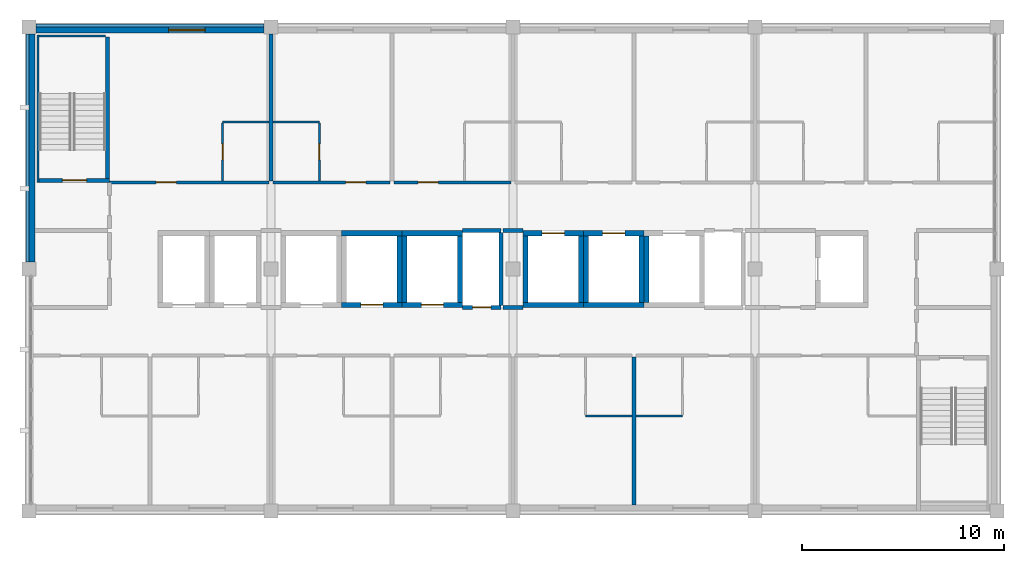
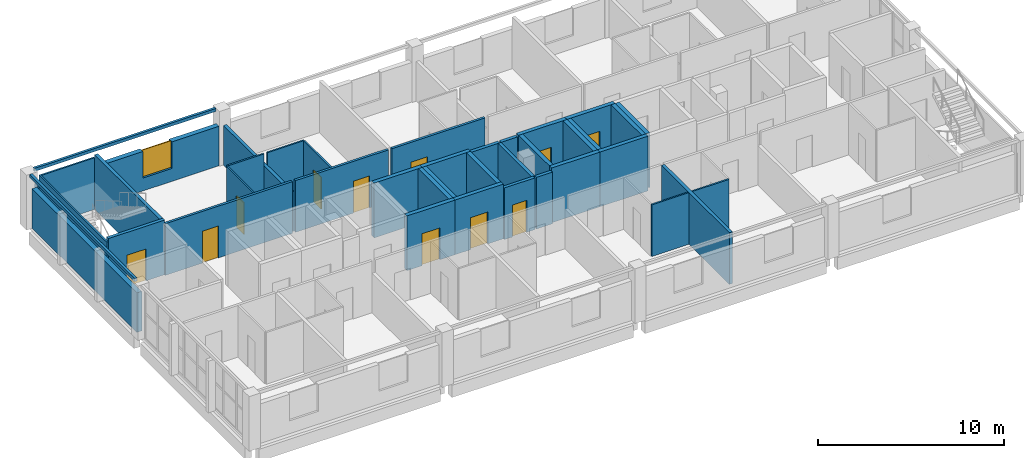
# One storey, part 7 of 11: 40 walls, 11 doors, 1 window, 12 openings.
"""IFC4 building model written with IfcOpenShell, lengths in metres."""

from ifc_helpers import new_model, si_unit, direction, frame, frame_2d, origin, place, context, subcontext, project, spatial, rectangle, extrude, material, layer, layer_set, type_object, element, fill, save


model = new_model("IFC4")

# Units and contexts
model_context = context("Model", 3, precision=1e-05, world=origin(), true_north=direction((0.0, 1.0)))
body_context = subcontext(model_context, "Body", "Model", "MODEL_VIEW")
ifc_project = project(units=[si_unit("LENGTHUNIT", "METRE"), si_unit("AREAUNIT", "SQUARE_METRE"), si_unit("VOLUMEUNIT", "CUBIC_METRE"), si_unit("PLANEANGLEUNIT", "RADIAN"), si_unit("MASSUNIT", "GRAM", prefix="KILO")], contexts=[model_context])

# Site, building, storey
site_placement = place(None, origin())
site = spatial("IfcSite", under=ifc_project, at=site_placement, CompositionType="ELEMENT")
building_placement = place(site_placement, origin())
building = spatial("IfcBuilding", under=site, at=building_placement, Name="Lilac Gate Convention Centre", CompositionType="ELEMENT")
storey_placement = place(building_placement, frame((0.0, 0.0, 64.199951171875)))
storey = spatial("IfcBuildingStorey", under=building, at=storey_placement, Name="L16", CompositionType="ELEMENT", Elevation=64.199951171875)

# Walls
ifc_material_1 = material(Name="Concrete C40", Category="concrete")
ifc_layer_1 = layer(ifc_material_1, 0.10009765625)
ifc_layer_set_1 = layer_set([ifc_layer_1], Name="Concrete C40")
wall_type_1 = type_object("IfcWallType", Name="Core wall 100 C40", PredefinedType="SHEAR", material=ifc_layer_set_1)
wall_1_placement = place(storey_placement, frame((42.449951171875, 238.300048828125, 0.0), z_axis=(0.0, 0.0, 1.0), x_axis=(0.0, 1.0, 0.0)))
element("IfcWall", 1, at=wall_1_placement, inside=storey, type_object=wall_type_1, Name="CRW10 core wall TS-WX L16 1", PredefinedType="SHEAR", context=body_context, shape_type="SweptSolid", body=[
    extrude(rectangle(XDim=7.300048828125, YDim=0.10009765625, at=frame_2d((3.64990234375, 0.0))), origin(), (0.0, 0.0, 1.0), 3.400146484375),
])
wall_2_placement = place(storey_placement, frame((42.5, 245.550048828125, 0.0), z_axis=(0.0, 0.0, 1.0), x_axis=(1.0, 0.0, 0.0)))
element("IfcWall", 2, at=wall_2_placement, inside=storey, type_object=wall_type_1, Name="CRW10 core wall TS-WX L16 2", PredefinedType="SHEAR", context=body_context, shape_type="SweptSolid", body=[
    extrude(rectangle(XDim=3.300048828125, YDim=0.10009765625, at=frame_2d((1.64990234375, 0.0))), origin(), (0.0, 0.0, 1.0), 3.400146484375),
])

# Wall, opening, door
ifc_layer_2 = layer(ifc_material_1, 0.199951171875)
ifc_layer_set_2 = layer_set([ifc_layer_2], Name="Concrete C40")
wall_type_2 = type_object("IfcWallType", Name="Core wall 200 C40", PredefinedType="SHEAR", material=ifc_layer_set_2)
wall_3_placement = place(storey_placement, frame((42.5, 238.39990234375, 0.0), z_axis=(0.0, 0.0, 1.0), x_axis=(1.0, 0.0, 0.0)))
wall_3 = element("IfcWall", 3, at=wall_3_placement, inside=storey, type_object=wall_type_2, Name="CRW7 core wall TS-W L16 1", PredefinedType="SHEAR", context=body_context, shape_type="SweptSolid", body=[
    extrude(rectangle(XDim=3.5, YDim=0.199951171875, at=frame_2d((1.75, 0.0))), origin(), (0.0, 0.0, 1.0), 3.60009765625),
])
opening_1_placement = place(wall_3_placement, frame((1.14990234375, 0.0, 0.0)))
opening_1 = element("IfcOpeningElement", 4, at=opening_1_placement, cuts=wall_3, Name="Opening T15-045", PredefinedType="OPENING", context=body_context, shape_type="SweptSolid", body=[
    extrude(rectangle(XDim=1.199951171875, YDim=2.10009765625, at=frame_2d((0.60009765625, 1.050048828125))), frame((0.0, 0.10986328125, 0.0), z_axis=(0.0, -1.0, 0.0), x_axis=(1.0, 0.0, 0.0)), (0.0, 0.0, 1.0), 0.219970703125),
])
ifc_material_2 = material(Name="Steel Q235B", Category="steel")
door_type_1 = type_object("IfcDoorType", Name="Stair door 1200", OperationType="SINGLE_SWING_LEFT", PredefinedType="DOOR", material=ifc_material_2)
door_1_placement = place(opening_1_placement, origin())
door_1 = element("IfcDoor", 5, at=door_1_placement, inside=storey, type_object=door_type_1, Name="Stair door NW L16", OperationType="SINGLE_SWING_RIGHT", OverallHeight=2.10009765625, OverallWidth=1.199951171875, PredefinedType="DOOR", context=body_context, shape_type="SweptSolid", body=[
    extrude(rectangle(XDim=1.199951171875, YDim=2.10009765625, at=frame_2d((0.60009765625, 1.050048828125))), frame((0.0, 0.02490234375, 0.0), z_axis=(0.0, -1.0, 0.0), x_axis=(1.0, 0.0, 0.0)), (0.0, 0.0, 1.0), 0.050048828125),
])
fill(opening_1, door_1)

# Wall
wall_4_placement = place(storey_placement, frame((45.89990234375, 238.5, 0.0), z_axis=(0.0, 0.0, 1.0), x_axis=(0.0, 1.0, 0.0)))
element("IfcWall", 6, at=wall_4_placement, inside=storey, type_object=wall_type_2, Name="CRW7 core wall TS-W L16 2", PredefinedType="SHEAR", context=body_context, shape_type="SweptSolid", body=[
    extrude(rectangle(XDim=7.0, YDim=0.199951171875, at=frame_2d((3.5, 0.0))), origin(), (0.0, 0.0, 1.0), 3.60009765625),
])

# Wall, opening, door
ifc_layer_3 = layer(ifc_material_1, 0.25)
ifc_layer_set_3 = layer_set([ifc_layer_3], Name="Concrete C40")
wall_type_3 = type_object("IfcWallType", Name="Core wall 250 C40", PredefinedType="SHEAR", material=ifc_layer_set_3)
wall_5_placement = place(storey_placement, frame((57.5, 232.22509765625, 0.0), z_axis=(0.0, 0.0, 1.0), x_axis=(1.0, 0.0, 0.0)))
wall_5 = element("IfcWall", 7, at=wall_5_placement, inside=storey, type_object=wall_type_3, Name="CRW5 core wall TC L16 5", PredefinedType="SHEAR", context=body_context, shape_type="SweptSolid", body=[
    extrude(rectangle(XDim=3.0, YDim=0.25, at=frame_2d((1.5, 0.0))), origin(), (0.0, 0.0, 1.0), 3.60009765625),
])
opening_2_placement = place(wall_5_placement, frame((0.949951171875, 0.0, 0.0)))
opening_2 = element("IfcOpeningElement", 8, at=opening_2_placement, cuts=wall_5, Name="Opening T15-037", PredefinedType="OPENING", context=body_context, shape_type="SweptSolid", body=[
    extrude(rectangle(XDim=1.10009765625, YDim=2.10009765625, at=frame_2d((0.550048828125, 1.050048828125))), frame((0.0, 0.135009765625, 0.0), z_axis=(0.0, -1.0, 0.0), x_axis=(1.0, 0.0, 0.0)), (0.0, 0.0, 1.0), 0.27001953125),
])
ifc_material_3 = material(Name="Stainless steel 304", Category="steel")
door_type_2 = type_object("IfcDoorType", Name="Lift landing door 1100", OperationType="SLIDING_TO_LEFT", PredefinedType="DOOR", material=ifc_material_3)
door_2_placement = place(opening_2_placement, origin())
door_2 = element("IfcDoor", 9, at=door_2_placement, inside=storey, type_object=door_type_2, Name="Lift landing door TP2 L16", OperationType="SLIDING_TO_LEFT", OverallHeight=2.10009765625, OverallWidth=1.10009765625, PredefinedType="DOOR", context=body_context, shape_type="SweptSolid", body=[
    extrude(rectangle(XDim=1.10009765625, YDim=2.10009765625, at=frame_2d((0.550048828125, 1.050048828125))), frame((0.0, 0.02490234375, 0.0), z_axis=(0.0, -1.0, 0.0), x_axis=(1.0, 0.0, 0.0)), (0.0, 0.0, 1.0), 0.050048828125),
])
fill(opening_2, door_2)

# Walls
wall_6_placement = place(storey_placement, frame((57.5, 235.77490234375, 0.0), z_axis=(0.0, 0.0, 1.0), x_axis=(1.0, 0.0, 0.0)))
element("IfcWall", 10, at=wall_6_placement, inside=storey, type_object=wall_type_3, Name="CRW5 core wall TC L16 6", PredefinedType="SHEAR", context=body_context, shape_type="SweptSolid", body=[
    extrude(rectangle(XDim=3.0, YDim=0.25, at=frame_2d((1.5, 0.0))), origin(), (0.0, 0.0, 1.0), 3.60009765625),
])
wall_7_placement = place(storey_placement, frame((60.375, 232.35009765625, 0.0), z_axis=(0.0, 0.0, 1.0), x_axis=(0.0, 1.0, 0.0)))
element("IfcWall", 11, at=wall_7_placement, inside=storey, type_object=wall_type_3, Name="CRW5 core wall TC L16 8", PredefinedType="SHEAR", context=body_context, shape_type="SweptSolid", body=[
    extrude(rectangle(XDim=3.2998046875, YDim=0.25, at=frame_2d((1.64990234375, 0.0))), origin(), (0.0, 0.0, 1.0), 3.60009765625),
])

# Wall, opening, door
wall_8_placement = place(storey_placement, frame((60.5, 232.22509765625, 0.0), z_axis=(0.0, 0.0, 1.0), x_axis=(1.0, 0.0, 0.0)))
wall_8 = element("IfcWall", 12, at=wall_8_placement, inside=storey, type_object=wall_type_3, Name="CRW5 core wall TC L16 9", PredefinedType="SHEAR", context=body_context, shape_type="SweptSolid", body=[
    extrude(rectangle(XDim=3.0, YDim=0.25, at=frame_2d((1.5, 0.0))), origin(), (0.0, 0.0, 1.0), 3.60009765625),
])
opening_3_placement = place(wall_8_placement, frame((0.949951171875, 0.0, 0.0)))
opening_3 = element("IfcOpeningElement", 13, at=opening_3_placement, cuts=wall_8, Name="Opening T15-038", PredefinedType="OPENING", context=body_context, shape_type="SweptSolid", body=[
    extrude(rectangle(XDim=1.10009765625, YDim=2.10009765625, at=frame_2d((0.550048828125, 1.050048828125))), frame((0.0, 0.135009765625, 0.0), z_axis=(0.0, -1.0, 0.0), x_axis=(1.0, 0.0, 0.0)), (0.0, 0.0, 1.0), 0.27001953125),
])
door_3_placement = place(opening_3_placement, origin())
door_3 = element("IfcDoor", 14, at=door_3_placement, inside=storey, type_object=door_type_2, Name="Lift landing door TP3 L16", OperationType="SLIDING_TO_LEFT", OverallHeight=2.10009765625, OverallWidth=1.10009765625, PredefinedType="DOOR", context=body_context, shape_type="SweptSolid", body=[
    extrude(rectangle(XDim=1.10009765625, YDim=2.10009765625, at=frame_2d((0.550048828125, 1.050048828125))), frame((0.0, 0.02490234375, 0.0), z_axis=(0.0, -1.0, 0.0), x_axis=(1.0, 0.0, 0.0)), (0.0, 0.0, 1.0), 0.050048828125),
])
fill(opening_3, door_3)

# Walls
wall_9_placement = place(storey_placement, frame((60.5, 235.77490234375, 0.0), z_axis=(0.0, 0.0, 1.0), x_axis=(1.0, 0.0, 0.0)))
element("IfcWall", 15, at=wall_9_placement, inside=storey, type_object=wall_type_3, Name="CRW5 core wall TC L16 10", PredefinedType="SHEAR", context=body_context, shape_type="SweptSolid", body=[
    extrude(rectangle(XDim=3.0, YDim=0.25, at=frame_2d((1.5, 0.0))), origin(), (0.0, 0.0, 1.0), 3.60009765625),
])
for number, where, z_axis, x_axis, name in (
    (16, (60.625, 232.35009765625, 0.0), (0.0, 0.0, 1.0), (0.0, 1.0, 0.0), "CRW5 core wall TC L16 11"),
    (17, (63.375, 232.35009765625, 0.0), (0.0, 0.0, 1.0), (0.0, 1.0, 0.0), "CRW5 core wall TC L16 12"),
):
    element("IfcWall", number, at=place(storey_placement, frame(where, z_axis=z_axis, x_axis=x_axis)), inside=storey, type_object=wall_type_3, Name=name, PredefinedType="SHEAR", context=body_context, shape_type="SweptSolid", body=[
        extrude(rectangle(XDim=3.2998046875, YDim=0.25, at=frame_2d((1.64990234375, 0.0))), origin(), (0.0, 0.0, 1.0), 3.60009765625),
    ])
wall_10_placement = place(storey_placement, frame((66.5, 232.22509765625, 0.0), z_axis=(0.0, 0.0, 1.0), x_axis=(1.0, 0.0, 0.0)))
element("IfcWall", 18, at=wall_10_placement, inside=storey, type_object=wall_type_3, Name="CRW5 core wall TC L16 13", PredefinedType="SHEAR", context=body_context, shape_type="SweptSolid", body=[
    extrude(rectangle(XDim=3.0, YDim=0.25, at=frame_2d((1.5, 0.0))), origin(), (0.0, 0.0, 1.0), 3.60009765625),
])

# Wall, opening, door
wall_11_placement = place(storey_placement, frame((66.5, 235.77490234375, 0.0), z_axis=(0.0, 0.0, 1.0), x_axis=(1.0, 0.0, 0.0)))
wall_11 = element("IfcWall", 19, at=wall_11_placement, inside=storey, type_object=wall_type_3, Name="CRW5 core wall TC L16 14", PredefinedType="SHEAR", context=body_context, shape_type="SweptSolid", body=[
    extrude(rectangle(XDim=3.0, YDim=0.25, at=frame_2d((1.5, 0.0))), origin(), (0.0, 0.0, 1.0), 3.60009765625),
])
opening_4_placement = place(wall_11_placement, frame((0.949951171875, 0.0, 0.0)))
opening_4 = element("IfcOpeningElement", 20, at=opening_4_placement, cuts=wall_11, Name="Opening T15-039", PredefinedType="OPENING", context=body_context, shape_type="SweptSolid", body=[
    extrude(rectangle(XDim=1.10009765625, YDim=2.10009765625, at=frame_2d((0.550048828125, 1.050048828125))), frame((0.0, 0.135009765625, 0.0), z_axis=(0.0, -1.0, 0.0), x_axis=(1.0, 0.0, 0.0)), (0.0, 0.0, 1.0), 0.27001953125),
])
door_4_placement = place(opening_4_placement, origin())
door_4 = element("IfcDoor", 21, at=door_4_placement, inside=storey, type_object=door_type_2, Name="Lift landing door TP4 L16", OperationType="SLIDING_TO_LEFT", OverallHeight=2.10009765625, OverallWidth=1.10009765625, PredefinedType="DOOR", context=body_context, shape_type="SweptSolid", body=[
    extrude(rectangle(XDim=1.10009765625, YDim=2.10009765625, at=frame_2d((0.550048828125, 1.050048828125))), frame((0.0, 0.02490234375, 0.0), z_axis=(0.0, -1.0, 0.0), x_axis=(1.0, 0.0, 0.0)), (0.0, 0.0, 1.0), 0.050048828125),
])
fill(opening_4, door_4)

# Walls
for number, where, z_axis, x_axis, name in (
    (22, (66.625, 232.35009765625, 0.0), (0.0, 0.0, 1.0), (0.0, 1.0, 0.0), "CRW5 core wall TC L16 15"),
    (23, (69.375, 232.35009765625, 0.0), (0.0, 0.0, 1.0), (0.0, 1.0, 0.0), "CRW5 core wall TC L16 16"),
):
    element("IfcWall", number, at=place(storey_placement, frame(where, z_axis=z_axis, x_axis=x_axis)), inside=storey, type_object=wall_type_3, Name=name, PredefinedType="SHEAR", context=body_context, shape_type="SweptSolid", body=[
        extrude(rectangle(XDim=3.2998046875, YDim=0.25, at=frame_2d((1.64990234375, 0.0))), origin(), (0.0, 0.0, 1.0), 3.60009765625),
    ])
wall_12_placement = place(storey_placement, frame((69.5, 232.22509765625, 0.0), z_axis=(0.0, 0.0, 1.0), x_axis=(1.0, 0.0, 0.0)))
element("IfcWall", 24, at=wall_12_placement, inside=storey, type_object=wall_type_3, Name="CRW5 core wall TC L16 17", PredefinedType="SHEAR", context=body_context, shape_type="SweptSolid", body=[
    extrude(rectangle(XDim=3.0, YDim=0.25, at=frame_2d((1.5, 0.0))), origin(), (0.0, 0.0, 1.0), 3.60009765625),
])

# Wall, opening, door
wall_13_placement = place(storey_placement, frame((69.5, 235.77490234375, 0.0), z_axis=(0.0, 0.0, 1.0), x_axis=(1.0, 0.0, 0.0)))
wall_13 = element("IfcWall", 25, at=wall_13_placement, inside=storey, type_object=wall_type_3, Name="CRW5 core wall TC L16 18", PredefinedType="SHEAR", context=body_context, shape_type="SweptSolid", body=[
    extrude(rectangle(XDim=3.0, YDim=0.25, at=frame_2d((1.5, 0.0))), origin(), (0.0, 0.0, 1.0), 3.60009765625),
])
opening_5_placement = place(wall_13_placement, frame((0.949951171875, 0.0, 0.0)))
opening_5 = element("IfcOpeningElement", 26, at=opening_5_placement, cuts=wall_13, Name="Opening T15-040", PredefinedType="OPENING", context=body_context, shape_type="SweptSolid", body=[
    extrude(rectangle(XDim=1.10009765625, YDim=2.10009765625, at=frame_2d((0.550048828125, 1.050048828125))), frame((0.0, 0.135009765625, 0.0), z_axis=(0.0, -1.0, 0.0), x_axis=(1.0, 0.0, 0.0)), (0.0, 0.0, 1.0), 0.27001953125),
])
door_5_placement = place(opening_5_placement, origin())
door_5 = element("IfcDoor", 27, at=door_5_placement, inside=storey, type_object=door_type_2, Name="Lift landing door TP5 L16", OperationType="SLIDING_TO_LEFT", OverallHeight=2.10009765625, OverallWidth=1.10009765625, PredefinedType="DOOR", context=body_context, shape_type="SweptSolid", body=[
    extrude(rectangle(XDim=1.10009765625, YDim=2.10009765625, at=frame_2d((0.550048828125, 1.050048828125))), frame((0.0, 0.02490234375, 0.0), z_axis=(0.0, -1.0, 0.0), x_axis=(1.0, 0.0, 0.0)), (0.0, 0.0, 1.0), 0.050048828125),
])
fill(opening_5, door_5)

# Walls
for number, where, z_axis, x_axis, name in (
    (28, (69.625, 232.35009765625, 0.0), (0.0, 0.0, 1.0), (0.0, 1.0, 0.0), "CRW5 core wall TC L16 19"),
    (29, (72.375, 232.35009765625, 0.0), (0.0, 0.0, 1.0), (0.0, 1.0, 0.0), "CRW5 core wall TC L16 20"),
    (30, (72.625, 232.35009765625, 0.0), (0.0, 0.0, 1.0), (0.0, 1.0, 0.0), "CRW5 core wall TC L16 23"),
):
    element("IfcWall", number, at=place(storey_placement, frame(where, z_axis=z_axis, x_axis=x_axis)), inside=storey, type_object=wall_type_3, Name=name, PredefinedType="SHEAR", context=body_context, shape_type="SweptSolid", body=[
        extrude(rectangle(XDim=3.2998046875, YDim=0.25, at=frame_2d((1.64990234375, 0.0))), origin(), (0.0, 0.0, 1.0), 3.60009765625),
    ])

# Wall, opening, door
ifc_material_4 = material(Name="Gypsum board on steel stud", Category="steel")
ifc_layer_4 = layer(ifc_material_4, 0.14990234375)
ifc_layer_set_4 = layer_set([ifc_layer_4], Name="Gypsum board on steel stud")
wall_type_4 = type_object("IfcWallType", Name="Corridor wall 150", PredefinedType="PARTITIONING", material=ifc_layer_set_4)
wall_14_placement = place(storey_placement, frame((46.0, 238.300048828125, 0.0), z_axis=(0.0, 0.0, 1.0), x_axis=(1.0, 0.0, 0.0)))
wall_14 = element("IfcWall", 31, at=wall_14_placement, inside=storey, type_object=wall_type_4, Name="Corridor wall 150 front 1608", PredefinedType="PARTITIONING", context=body_context, shape_type="SweptSolid", body=[
    extrude(rectangle(XDim=7.89990234375, YDim=0.14990234375, at=frame_2d((3.949951171875, 0.0))), origin(), (0.0, 0.0, 1.0), 3.400146484375),
])
opening_6_placement = place(wall_14_placement, frame((2.300048828125, 0.0, 0.0)))
opening_6 = element("IfcOpeningElement", 32, at=opening_6_placement, cuts=wall_14, Name="Opening T15-022", PredefinedType="OPENING", context=body_context, shape_type="SweptSolid", body=[
    extrude(rectangle(XDim=1.0, YDim=2.10009765625, at=frame_2d((0.5, 1.050048828125))), frame((0.0, 0.0849609375, 0.0), z_axis=(0.0, -1.0, 0.0), x_axis=(1.0, 0.0, 0.0)), (0.0, 0.0, 1.0), 0.169921875),
])
ifc_material_5 = material(Name="Timber", Category="wood")
door_type_3 = type_object("IfcDoorType", Name="Guest room entrance door 1000", OperationType="SINGLE_SWING_LEFT", PredefinedType="DOOR", material=ifc_material_5)
door_6_placement = place(opening_6_placement, origin())
door_6 = element("IfcDoor", 33, at=door_6_placement, inside=storey, type_object=door_type_3, Name="Guest room door 1608", OperationType="SINGLE_SWING_LEFT", OverallHeight=2.10009765625, OverallWidth=1.0, PredefinedType="DOOR", context=body_context, shape_type="SweptSolid", body=[
    extrude(rectangle(XDim=1.0, YDim=2.10009765625, at=frame_2d((0.5, 1.050048828125))), frame((0.0, 0.02490234375, 0.0), z_axis=(0.0, -1.0, 0.0), x_axis=(1.0, 0.0, 0.0)), (0.0, 0.0, 1.0), 0.050048828125),
])
fill(opening_6, door_6)

wall_15_placement = place(storey_placement, frame((54.10009765625, 238.300048828125, 0.0), z_axis=(0.0, 0.0, 1.0), x_axis=(1.0, 0.0, 0.0)))
wall_15 = element("IfcWall", 34, at=wall_15_placement, inside=storey, type_object=wall_type_4, Name="Corridor wall 150 front 1609", PredefinedType="PARTITIONING", context=body_context, shape_type="SweptSolid", body=[
    extrude(rectangle(XDim=5.7998046875, YDim=0.14990234375, at=frame_2d((2.89990234375, 0.0))), origin(), (0.0, 0.0, 1.0), 3.400146484375),
])
opening_7_placement = place(wall_15_placement, frame((3.60009765625, 0.0, 0.0)))
opening_7 = element("IfcOpeningElement", 35, at=opening_7_placement, cuts=wall_15, Name="Opening T15-024", PredefinedType="OPENING", context=body_context, shape_type="SweptSolid", body=[
    extrude(rectangle(XDim=1.0, YDim=2.10009765625, at=frame_2d((0.5, 1.050048828125))), frame((0.0, 0.0849609375, 0.0), z_axis=(0.0, -1.0, 0.0), x_axis=(1.0, 0.0, 0.0)), (0.0, 0.0, 1.0), 0.169921875),
])
door_7_placement = place(opening_7_placement, origin())
door_7 = element("IfcDoor", 36, at=door_7_placement, inside=storey, type_object=door_type_3, Name="Guest room door 1609", OperationType="SINGLE_SWING_RIGHT", OverallHeight=2.10009765625, OverallWidth=1.0, PredefinedType="DOOR", context=body_context, shape_type="SweptSolid", body=[
    extrude(rectangle(XDim=1.0, YDim=2.10009765625, at=frame_2d((0.5, 1.050048828125))), frame((0.0, 0.02490234375, 0.0), z_axis=(0.0, -1.0, 0.0), x_axis=(1.0, 0.0, 0.0)), (0.0, 0.0, 1.0), 0.050048828125),
])
fill(opening_7, door_7)

wall_16_placement = place(storey_placement, frame((60.10009765625, 238.300048828125, 0.0), z_axis=(0.0, 0.0, 1.0), x_axis=(1.0, 0.0, 0.0)))
wall_16 = element("IfcWall", 37, at=wall_16_placement, inside=storey, type_object=wall_type_4, Name="Corridor wall 150 front 1610", PredefinedType="PARTITIONING", context=body_context, shape_type="SweptSolid", body=[
    extrude(rectangle(XDim=5.7998046875, YDim=0.14990234375, at=frame_2d((2.89990234375, 0.0))), origin(), (0.0, 0.0, 1.0), 3.400146484375),
])
opening_8_placement = place(wall_16_placement, frame((1.199951171875, 0.0, 0.0)))
opening_8 = element("IfcOpeningElement", 38, at=opening_8_placement, cuts=wall_16, Name="Opening T15-026", PredefinedType="OPENING", context=body_context, shape_type="SweptSolid", body=[
    extrude(rectangle(XDim=1.0, YDim=2.10009765625, at=frame_2d((0.5, 1.050048828125))), frame((0.0, 0.0849609375, 0.0), z_axis=(0.0, -1.0, 0.0), x_axis=(1.0, 0.0, 0.0)), (0.0, 0.0, 1.0), 0.169921875),
])
door_8_placement = place(opening_8_placement, origin())
door_8 = element("IfcDoor", 39, at=door_8_placement, inside=storey, type_object=door_type_3, Name="Guest room door 1610", OperationType="SINGLE_SWING_LEFT", OverallHeight=2.10009765625, OverallWidth=1.0, PredefinedType="DOOR", context=body_context, shape_type="SweptSolid", body=[
    extrude(rectangle(XDim=1.0, YDim=2.10009765625, at=frame_2d((0.5, 1.050048828125))), frame((0.0, 0.02490234375, 0.0), z_axis=(0.0, -1.0, 0.0), x_axis=(1.0, 0.0, 0.0)), (0.0, 0.0, 1.0), 0.050048828125),
])
fill(opening_8, door_8)

# Walls
ifc_layer_5 = layer(ifc_material_4, 0.10009765625)
ifc_layer_set_5 = layer_set([ifc_layer_5], Name="Gypsum board on steel stud")
wall_type_5 = type_object("IfcWallType", Name="En-suite wall 100", PredefinedType="PARTITIONING", material=ifc_layer_set_5)
for number, where, z_axis, x_axis, name in (
    (40, (69.60009765625, 226.699951171875, 0.0), (0.0, 0.0, 1.0), (1.0, 0.0, 0.0), "En-suite wall 100 bath 1605"),
    (41, (72.10009765625, 226.699951171875, 0.0), (0.0, 0.0, 1.0), (1.0, 0.0, 0.0), "En-suite wall 100 bath 1606"),
    (42, (51.60009765625, 241.300048828125, 0.0), (0.0, 0.0, 1.0), (1.0, 0.0, 0.0), "En-suite wall 100 bath 1608"),
):
    element("IfcWall", number, at=place(storey_placement, frame(where, z_axis=z_axis, x_axis=x_axis)), inside=storey, type_object=wall_type_5, Name=name, PredefinedType="PARTITIONING", context=body_context, shape_type="SweptSolid", body=[
        extrude(rectangle(XDim=2.2998046875, YDim=0.10009765625, at=frame_2d((1.14990234375, 0.0))), origin(), (0.0, 0.0, 1.0), 3.400146484375),
    ])

# Wall, opening, door
wall_17_placement = place(storey_placement, frame((51.60009765625, 238.375, 0.0), z_axis=(0.0, 0.0, 1.0), x_axis=(0.0, 1.0, 0.0)))
wall_17 = element("IfcWall", 43, at=wall_17_placement, inside=storey, type_object=wall_type_5, Name="En-suite wall 100 bath side 1608", PredefinedType="PARTITIONING", context=body_context, shape_type="SweptSolid", body=[
    extrude(rectangle(XDim=2.875, YDim=0.10009765625, at=frame_2d((1.4375, 0.0))), origin(), (0.0, 0.0, 1.0), 3.400146484375),
])
opening_9_placement = place(wall_17_placement, frame((1.03759765625, 0.0, 0.0)))
opening_9 = element("IfcOpeningElement", 44, at=opening_9_placement, cuts=wall_17, Name="Opening T15-023", PredefinedType="OPENING", context=body_context, shape_type="SweptSolid", body=[
    extrude(rectangle(XDim=0.800048828125, YDim=2.10009765625, at=frame_2d((0.39990234375, 1.050048828125))), frame((0.0, 0.06005859375, 0.0), z_axis=(0.0, -1.0, 0.0), x_axis=(1.0, 0.0, 0.0)), (0.0, 0.0, 1.0), 0.1201171875),
])
door_type_4 = type_object("IfcDoorType", Name="En-suite door 800", OperationType="SINGLE_SWING_LEFT", PredefinedType="DOOR", material=ifc_material_5)
door_9_placement = place(opening_9_placement, origin())
door_9 = element("IfcDoor", 45, at=door_9_placement, inside=storey, type_object=door_type_4, Name="En-suite door 1608", OperationType="SINGLE_SWING_LEFT", OverallHeight=2.10009765625, OverallWidth=0.800048828125, PredefinedType="DOOR", context=body_context, shape_type="SweptSolid", body=[
    extrude(rectangle(XDim=0.800048828125, YDim=2.10009765625, at=frame_2d((0.39990234375, 1.050048828125))), frame((0.0, 0.02490234375, 0.0), z_axis=(0.0, -1.0, 0.0), x_axis=(1.0, 0.0, 0.0)), (0.0, 0.0, 1.0), 0.050048828125),
])
fill(opening_9, door_9)

# Wall
wall_18_placement = place(storey_placement, frame((54.10009765625, 241.300048828125, 0.0), z_axis=(0.0, 0.0, 1.0), x_axis=(1.0, 0.0, 0.0)))
element("IfcWall", 46, at=wall_18_placement, inside=storey, type_object=wall_type_5, Name="En-suite wall 100 bath 1609", PredefinedType="PARTITIONING", context=body_context, shape_type="SweptSolid", body=[
    extrude(rectangle(XDim=2.2998046875, YDim=0.10009765625, at=frame_2d((1.14990234375, 0.0))), origin(), (0.0, 0.0, 1.0), 3.400146484375),
])

# Wall, opening, door
wall_19_placement = place(storey_placement, frame((56.39990234375, 241.25, 0.0), z_axis=(0.0, 0.0, 1.0), x_axis=(0.0, -1.0, 0.0)))
wall_19 = element("IfcWall", 47, at=wall_19_placement, inside=storey, type_object=wall_type_5, Name="En-suite wall 100 bath side 1609", PredefinedType="PARTITIONING", context=body_context, shape_type="SweptSolid", body=[
    extrude(rectangle(XDim=2.875, YDim=0.10009765625, at=frame_2d((1.4375, 0.0))), origin(), (0.0, 0.0, 1.0), 3.400146484375),
])
opening_10_placement = place(wall_19_placement, frame((1.03759765625, 0.0, 0.0)))
opening_10 = element("IfcOpeningElement", 48, at=opening_10_placement, cuts=wall_19, Name="Opening T15-025", PredefinedType="OPENING", context=body_context, shape_type="SweptSolid", body=[
    extrude(rectangle(XDim=0.800048828125, YDim=2.10009765625, at=frame_2d((0.39990234375, 1.050048828125))), frame((0.0, 0.06005859375, 0.0), z_axis=(0.0, -1.0, 0.0), x_axis=(1.0, 0.0, 0.0)), (0.0, 0.0, 1.0), 0.1201171875),
])
door_10_placement = place(opening_10_placement, origin())
door_10 = element("IfcDoor", 49, at=door_10_placement, inside=storey, type_object=door_type_4, Name="En-suite door 1609", OperationType="SINGLE_SWING_RIGHT", OverallHeight=2.10009765625, OverallWidth=0.800048828125, PredefinedType="DOOR", context=body_context, shape_type="SweptSolid", body=[
    extrude(rectangle(XDim=0.800048828125, YDim=2.10009765625, at=frame_2d((0.39990234375, 1.050048828125))), frame((0.0, 0.02490234375, 0.0), z_axis=(0.0, -1.0, 0.0), x_axis=(1.0, 0.0, 0.0)), (0.0, 0.0, 1.0), 0.050048828125),
])
fill(opening_10, door_10)

# Walls
ifc_layer_6 = layer(ifc_material_4, 0.199951171875)
ifc_layer_set_6 = layer_set([ifc_layer_6], Name="Gypsum board on steel stud")
wall_type_6 = type_object("IfcWallType", Name="Guest room party wall 200", PredefinedType="PARTITIONING", material=ifc_layer_set_6)
wall_20_placement = place(storey_placement, frame((72.0, 222.2998046875, 0.0), z_axis=(0.0, 0.0, 1.0), x_axis=(0.0, 1.0, 0.0)))
element("IfcWall", 50, at=wall_20_placement, inside=storey, type_object=wall_type_6, Name="Guest room party wall 200 party 72.0", PredefinedType="PARTITIONING", context=body_context, shape_type="SweptSolid", body=[
    extrude(rectangle(XDim=7.3251953125, YDim=0.199951171875, at=frame_2d((3.66259765625, 0.0))), origin(), (0.0, 0.0, 1.0), 3.400146484375),
])
wall_21_placement = place(storey_placement, frame((54.0, 245.64990234375, 0.0), z_axis=(0.0, 0.0, 1.0), x_axis=(0.0, -1.0, 0.0)))
element("IfcWall", 51, at=wall_21_placement, inside=storey, type_object=wall_type_6, Name="Guest room party wall 200 party 54.0", PredefinedType="PARTITIONING", context=body_context, shape_type="SweptSolid", body=[
    extrude(rectangle(XDim=7.27490234375, YDim=0.199951171875, at=frame_2d((3.637451171875, 0.0))), origin(), (0.0, 0.0, 1.0), 2.60009765625),
])
ifc_material_6 = material(Name="Concrete C40 precast", Category="concrete")
ifc_layer_7 = layer(ifc_material_6, 0.1298828125)
ifc_material_7 = material(Name="Terracotta glazed cladding", Category="masonry")
ifc_layer_8 = layer(ifc_material_7, 0.02001953125)
ifc_layer_set_7 = layer_set([ifc_layer_7, ifc_layer_8], Name="Concrete C40 precast, Terracotta glazed cladding")
wall_type_7 = type_object("IfcWallType", Name="Precast band terracotta 150", PredefinedType="STANDARD", material=ifc_layer_set_7)
for number, where, z_axis, x_axis, name in (
    (52, (53.64990234375, 246.074951171875, 3.400146484375), (0.0, 0.0, 1.0), (-1.0, 0.0, 0.0), "Precast band N L16 4"),
    (53, (41.925048828125, 245.64990234375, 3.400146484375), (0.0, 0.0, 1.0), (0.0, -1.0, 0.0), "Precast band W L16 1"),
):
    element("IfcWall", number, at=place(storey_placement, frame(where, z_axis=z_axis, x_axis=x_axis)), inside=storey, type_object=wall_type_7, Name=name, PredefinedType="STANDARD", context=body_context, shape_type="SweptSolid", body=[
        extrude(rectangle(XDim=11.2998046875, YDim=0.14990234375, at=frame_2d((5.64990234375, 0.0))), origin(), (0.0, 0.0, 1.0), 0.199951171875),
    ])

# Wall, opening, window
ifc_material_8 = material(Name="Ochre mineral render")
ifc_layer_9 = layer(ifc_material_8, 0.02001953125)
ifc_layer_10 = layer(ifc_material_6, 0.06005859375)
ifc_material_9 = material(Name="Ventilated air cavity")
ifc_layer_11 = layer(ifc_material_9, 0.030029296875)
ifc_material_10 = material(Name="Mineral wool insulation")
ifc_layer_12 = layer(ifc_material_10, 0.1201171875)
ifc_material_11 = material(Name="Steel stud Q345 and gypsum lining", Category="steel")
ifc_layer_13 = layer(ifc_material_11, 0.070068359375)
ifc_layer_set_8 = layer_set([ifc_layer_9, ifc_layer_10, ifc_layer_11, ifc_layer_12, ifc_layer_13], Name="Ochre mineral render, Concrete C40 precast, Ventilated air cavity, Mineral wool insulation, Steel stud Q345 and gypsum lining")
wall_type_8 = type_object("IfcWallType", Name="Precast panel wall ochre 300", PredefinedType="STANDARD", material=ifc_layer_set_8)
wall_22_placement = place(storey_placement, frame((53.64990234375, 245.85009765625, 0.0), z_axis=(0.0, 0.0, 1.0), x_axis=(-1.0, 0.0, 0.0)))
wall_22 = element("IfcWall", 54, at=wall_22_placement, inside=storey, type_object=wall_type_8, Name="External wall N L16 4", PredefinedType="STANDARD", context=body_context, shape_type="SweptSolid", body=[
    extrude(rectangle(XDim=11.2998046875, YDim=0.300048828125, at=frame_2d((5.64990234375, 0.0))), origin(), (0.0, 0.0, 1.0), 2.60009765625),
])
opening_11_placement = place(wall_22_placement, frame((2.925048828125, 0.0, 0.85009765625)))
opening_11 = element("IfcOpeningElement", 55, at=opening_11_placement, cuts=wall_22, Name="Opening W1", PredefinedType="OPENING", context=body_context, shape_type="SweptSolid", body=[
    extrude(rectangle(XDim=1.800048828125, YDim=1.75, at=frame_2d((0.89990234375, 0.875))), frame((0.0, 0.159912109375, 0.0), z_axis=(0.0, -1.0, 0.0), x_axis=(1.0, 0.0, 0.0)), (0.0, 0.0, 1.0), 0.320068359375),
])
ifc_material_12 = material(Name="Aluminium framed double glazing", Category="aluminium")
window_type = type_object("IfcWindowType", Name="Guest room window 1800 x 1750", PartitioningType="DOUBLE_PANEL_VERTICAL", PredefinedType="WINDOW", material=ifc_material_12)
window_placement = place(opening_11_placement, origin())
window = element("IfcWindow", 56, at=window_placement, inside=storey, type_object=window_type, Name="Window Guest N L16", OverallHeight=1.75, OverallWidth=1.800048828125, PartitioningType="SINGLE_PANEL", PredefinedType="WINDOW", context=body_context, shape_type="SweptSolid", body=[
    extrude(rectangle(XDim=1.800048828125, YDim=1.75, at=frame_2d((0.89990234375, 0.875))), frame((0.0, 0.030029296875, 0.0), z_axis=(0.0, -1.0, 0.0), x_axis=(1.0, 0.0, 0.0)), (0.0, 0.0, 1.0), 0.06005859375),
])
fill(opening_11, window)

# Wall
wall_23_placement = place(storey_placement, frame((42.14990234375, 245.64990234375, 0.0), z_axis=(0.0, 0.0, 1.0), x_axis=(0.0, -1.0, 0.0)))
element("IfcWall", 57, at=wall_23_placement, inside=storey, type_object=wall_type_8, Name="External wall W L16 1", PredefinedType="STANDARD", context=body_context, shape_type="SweptSolid", body=[
    extrude(rectangle(XDim=11.2998046875, YDim=0.300048828125, at=frame_2d((5.64990234375, 0.0))), origin(), (0.0, 0.0, 1.0), 2.60009765625),
])

# Wall, opening, door
ifc_layer_14 = layer(ifc_material_4, 0.199951171875)
ifc_layer_set_9 = layer_set([ifc_layer_14], Name="Gypsum board on steel stud")
wall_type_9 = type_object("IfcWallType", Name="Riser and store wall 200", PredefinedType="PARTITIONING", material=ifc_layer_set_9)
wall_24_placement = place(storey_placement, frame((63.5, 232.10009765625, 0.0), z_axis=(0.0, 0.0, 1.0), x_axis=(1.0, 0.0, 0.0)))
wall_24 = element("IfcWall", 58, at=wall_24_placement, inside=storey, type_object=wall_type_9, Name="Riser and store wall 200 RS1-S", PredefinedType="PARTITIONING", context=body_context, shape_type="SweptSolid", body=[
    extrude(rectangle(XDim=1.89990234375, YDim=0.199951171875, at=frame_2d((0.949951171875, 0.0))), origin(), (0.0, 0.0, 1.0), 3.400146484375),
])
opening_12_placement = place(wall_24_placement, frame((0.5, 0.0, 0.0)))
opening_12 = element("IfcOpeningElement", 59, at=opening_12_placement, cuts=wall_24, Name="Opening T15-002", PredefinedType="OPENING", context=body_context, shape_type="SweptSolid", body=[
    extrude(rectangle(XDim=0.89990234375, YDim=2.10009765625, at=frame_2d((0.449951171875, 1.050048828125))), frame((0.0, 0.10986328125, 0.0), z_axis=(0.0, -1.0, 0.0), x_axis=(1.0, 0.0, 0.0)), (0.0, 0.0, 1.0), 0.219970703125),
])
door_type_5 = type_object("IfcDoorType", Name="Riser and store door 900", OperationType="SINGLE_SWING_LEFT", PredefinedType="DOOR", material=ifc_material_2)
door_11_placement = place(opening_12_placement, origin())
door_11 = element("IfcDoor", 60, at=door_11_placement, inside=storey, type_object=door_type_5, Name="Riser room door", OperationType="SINGLE_SWING_RIGHT", OverallHeight=2.10009765625, OverallWidth=0.89990234375, PredefinedType="DOOR", context=body_context, shape_type="SweptSolid", body=[
    extrude(rectangle(XDim=0.89990234375, YDim=2.10009765625, at=frame_2d((0.449951171875, 1.050048828125))), frame((0.0, 0.02490234375, 0.0), z_axis=(0.0, -1.0, 0.0), x_axis=(1.0, 0.0, 0.0)), (0.0, 0.0, 1.0), 0.050048828125),
])
fill(opening_12, door_11)

# Walls
wall_25_placement = place(storey_placement, frame((65.5, 232.10009765625, 0.0), z_axis=(0.0, 0.0, 1.0), x_axis=(1.0, 0.0, 0.0)))
element("IfcWall", 61, at=wall_25_placement, inside=storey, type_object=wall_type_9, Name="Riser and store wall 200 NICHE2-S", PredefinedType="PARTITIONING", context=body_context, shape_type="SweptSolid", body=[
    extrude(rectangle(XDim=1.0, YDim=0.199951171875, at=frame_2d((0.5, 0.0))), origin(), (0.0, 0.0, 1.0), 3.400146484375),
])
wall_26_placement = place(storey_placement, frame((63.5, 235.89990234375, 0.0), z_axis=(0.0, 0.0, 1.0), x_axis=(1.0, 0.0, 0.0)))
element("IfcWall", 62, at=wall_26_placement, inside=storey, type_object=wall_type_9, Name="Riser and store wall 200 RS1-N", PredefinedType="PARTITIONING", context=body_context, shape_type="SweptSolid", body=[
    extrude(rectangle(XDim=1.89990234375, YDim=0.199951171875, at=frame_2d((0.949951171875, 0.0))), origin(), (0.0, 0.0, 1.0), 3.400146484375),
])
wall_27_placement = place(storey_placement, frame((65.5, 235.89990234375, 0.0), z_axis=(0.0, 0.0, 1.0), x_axis=(1.0, 0.0, 0.0)))
element("IfcWall", 63, at=wall_27_placement, inside=storey, type_object=wall_type_9, Name="Riser and store wall 200 NICHE2-N", PredefinedType="PARTITIONING", context=body_context, shape_type="SweptSolid", body=[
    extrude(rectangle(XDim=1.0, YDim=0.199951171875, at=frame_2d((0.5, 0.0))), origin(), (0.0, 0.0, 1.0), 3.400146484375),
])
wall_28_placement = place(storey_placement, frame((65.39990234375, 232.199951171875, 0.0), z_axis=(0.0, 0.0, 1.0), x_axis=(0.0, 1.0, 0.0)))
element("IfcWall", 64, at=wall_28_placement, inside=storey, type_object=wall_type_9, Name="Riser and store wall 200 RS1-E", PredefinedType="PARTITIONING", context=body_context, shape_type="SweptSolid", body=[
    extrude(rectangle(XDim=3.60009765625, YDim=0.199951171875, at=frame_2d((1.800048828125, 0.0))), origin(), (0.0, 0.0, 1.0), 3.400146484375),
])

save(model, "model.ifc")
